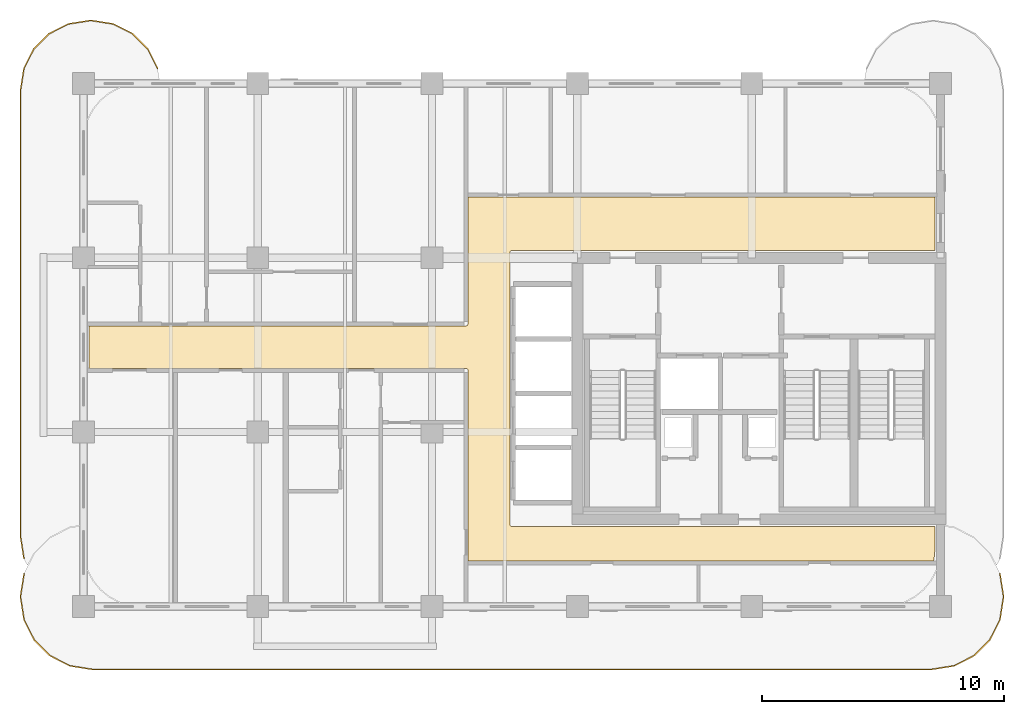
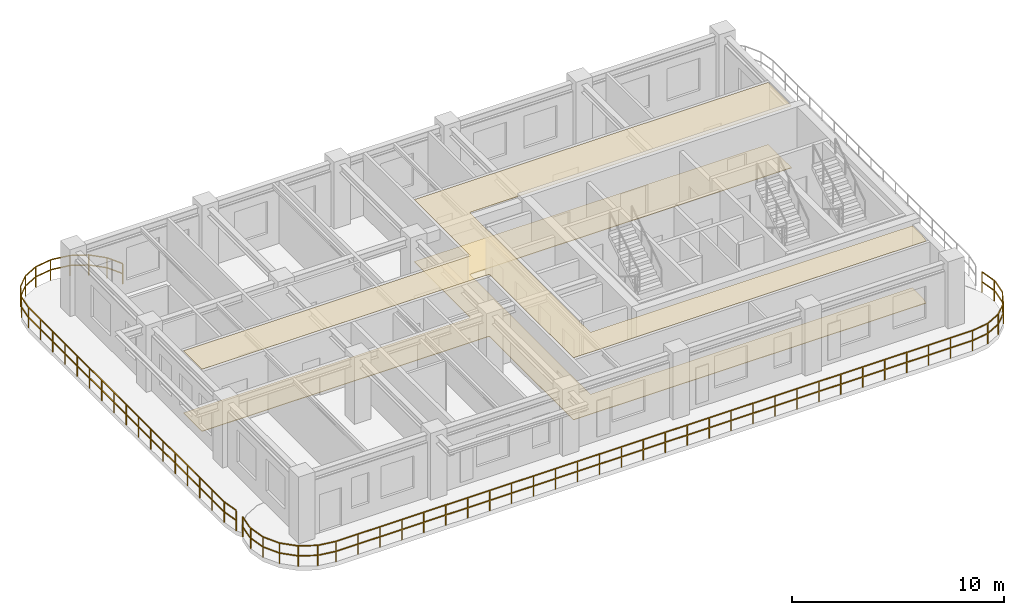
# One storey, part 7 of 8: 2 coverings, 2 railings.
"""IFC4 building model written with IfcOpenShell, lengths in metres."""

from ifc_helpers import new_model, si_unit, derived_unit, direction, frame, origin, origin_2d, place, context, subcontext, project, spatial, polyline, rectangle, outline, extrude, material, layer, layer_set, type_object, element, save


model = new_model("IFC4")

# Units and contexts
model_context = context("Model", 3, precision=1e-05, world=origin(), true_north=direction((0.0, 1.0)))
body_context = subcontext(model_context, "Body", "Model", "MODEL_VIEW")
ifc_project = project(units=[si_unit("LENGTHUNIT", "METRE"), si_unit("AREAUNIT", "SQUARE_METRE"), si_unit("VOLUMEUNIT", "CUBIC_METRE"), si_unit("PLANEANGLEUNIT", "RADIAN"), si_unit("MASSUNIT", "GRAM", prefix="KILO"), si_unit("THERMODYNAMICTEMPERATUREUNIT", "KELVIN"), si_unit("POWERUNIT", "WATT"), derived_unit("THERMALTRANSMITTANCEUNIT", [(si_unit("POWERUNIT", "WATT"), 1), (si_unit("AREAUNIT", "SQUARE_METRE"), -1), (si_unit("THERMODYNAMICTEMPERATUREUNIT", "KELVIN"), -1)])], contexts=[model_context])

# Site, building, storey
site_placement = place(None, origin())
site = spatial("IfcSite", under=ifc_project, at=site_placement, CompositionType="ELEMENT")
building_placement = place(site_placement, origin())
building = spatial("IfcBuilding", under=site, at=building_placement, Name="Zahravan Archway Hotel and Residences", CompositionType="ELEMENT")
storey_placement = place(building_placement, frame((0.0, 0.0, 232.699951171875)))
storey = spatial("IfcBuildingStorey", under=building, at=storey_placement, Name="L58", CompositionType="ELEMENT", Elevation=232.699951171875)

# Coverings
ifc_material_1 = material(Name="Perforated Acoustic Gypsum Ceiling")
ifc_layer_1 = layer(ifc_material_1, 0.02490234375, Name="Perforated Acoustic Gypsum Ceiling")
ifc_layer_set_1 = layer_set([ifc_layer_1], Name="Perforated Acoustic Gypsum Ceiling")
covering_type_1 = type_object("IfcCoveringType", Name="COV-CEIL-ACST", PredefinedType="CEILING", material=ifc_layer_set_1)
covering_1_placement = place(storey_placement, frame((0.0, 0.0, 3.574951171875)))
element("IfcCovering", 1, at=covering_1_placement, inside=storey, type_object=covering_type_1, Name="L58 Acoustic Corridor Ceiling", PredefinedType="CEILING", context=body_context, shape_type="SweptSolid", body=[
    extrude(outline(polyline([(30.215576171875, 11.591552734375), (30.256591796875, 11.61328125), (30.278564453125, 11.654296875), (30.280029296875, 16.919921875), (49.580078125, 16.919921875), (49.580078125, 14.705078125), (32.10009765625, 14.705078125), (32.0556640625, 14.69140625), (32.026123046875, 14.655517578125), (32.02001953125, 3.375), (32.033447265625, 3.33056640625), (32.0693359375, 3.301025390625), (49.580078125, 3.294921875), (49.580078125, 2.410888671875), (49.537109375, 1.974853515625), (49.50830078125, 1.8798828125), (30.280029296875, 1.8798828125), (30.280029296875, 9.75), (30.2666015625, 9.79443359375), (30.230712890625, 9.823974609375), (14.6201171875, 9.830078125), (14.6201171875, 11.590087890625), (30.199951171875, 11.590087890625), (30.215576171875, 11.591552734375)])), origin(), (0.0, 0.0, 1.0), 0.025146484375),
])
ifc_material_2 = material(Name="Honed Margalla Limestone & Mortar Bed", Category="masonry")
ifc_layer_2 = layer(ifc_material_2, 0.030029296875, Name="Honed Margalla Limestone & Mortar Bed", Category="masonry")
ifc_layer_set_2 = layer_set([ifc_layer_2], Name="Honed Margalla Limestone & Mortar Bed")
covering_type_2 = type_object("IfcCoveringType", Name="COV-FLR-STONE", PredefinedType="FLOORING", material=ifc_layer_set_2)
covering_2_placement = place(storey_placement, origin())
element("IfcCovering", 2, at=covering_2_placement, inside=storey, type_object=covering_type_2, Name="L58 Circulation Floor Finish", PredefinedType="FLOORING", context=body_context, shape_type="SweptSolid", body=[
    extrude(outline(polyline([(30.215576171875, 11.591552734375), (30.256591796875, 11.61328125), (30.278564453125, 11.654296875), (30.280029296875, 16.919921875), (49.580078125, 16.919921875), (49.580078125, 14.705078125), (32.10009765625, 14.705078125), (32.0556640625, 14.69140625), (32.026123046875, 14.655517578125), (32.02001953125, 3.375), (32.033447265625, 3.33056640625), (32.0693359375, 3.301025390625), (49.580078125, 3.294921875), (49.580078125, 2.410888671875), (49.537109375, 1.974853515625), (49.50830078125, 1.8798828125), (30.280029296875, 1.8798828125), (30.280029296875, 9.75), (30.2666015625, 9.79443359375), (30.230712890625, 9.823974609375), (14.6201171875, 9.830078125), (14.6201171875, 11.590087890625), (30.199951171875, 11.590087890625), (30.215576171875, 11.591552734375)])), origin(), (0.0, 0.0, 1.0), 0.030029296875),
])

# Railings
ifc_material_3 = material(Name="Bronze & Laminated Glass Balustrade", Category="glass")
railing_type = type_object("IfcRailingType", Name="RL-BAL-1200", PredefinedType="BALUSTRADE", material=ifc_material_3)
railing_1_placement = place(storey_placement, frame((52.255615234375, 1.361572265625, 0.0)))
element("IfcRailing", 3, at=railing_1_placement, inside=storey, type_object=railing_type, Name="L58 Balustrade RL-SLB-BAL-L58-SA-1", PredefinedType="BALUSTRADE", context=body_context, shape_type="SweptSolid", body=[
    extrude(rectangle(XDim=0.048095703125, YDim=0.048095703125, at=origin_2d()), frame((0.0, 0.0, 1.17578125), z_axis=(0.156329311416, -0.987704989555, 0.0), x_axis=(0.987704989555, 0.156329311416, 0.0)), (0.0, 0.0, 1.0), 0.9228515625),
    extrude(rectangle(XDim=0.048095703125, YDim=0.048095703125, at=origin_2d()), frame((0.0, 0.0, 0.60009765625), z_axis=(0.156329311416, -0.987704989555, 0.0), x_axis=(0.987704989555, 0.156329311416, 0.0)), (0.0, 0.0, 1.0), 0.9228515625),
    extrude(rectangle(XDim=0.048095703125, YDim=0.048095703125, at=origin_2d()), frame((0.144287109375, -0.91162109375, 1.17578125), z_axis=(0.0, -1.0, 0.0), x_axis=(1.0, 0.0, 0.0)), (0.0, 0.0, 1.0), 0.099853515625),
    extrude(rectangle(XDim=0.048095703125, YDim=0.048095703125, at=origin_2d()), frame((0.144287109375, -0.91162109375, 0.60009765625), z_axis=(0.0, -1.0, 0.0), x_axis=(1.0, 0.0, 0.0)), (0.0, 0.0, 1.0), 0.099853515625),
    extrude(rectangle(XDim=0.048095703125, YDim=0.048095703125, at=origin_2d()), frame((0.144287109375, -1.011474609375, 1.17578125), z_axis=(-0.156329311416, -0.987704989555, 0.0), x_axis=(0.987704989555, -0.156329311416, 0.0)), (0.0, 0.0, 1.0), 0.9228515625),
    extrude(rectangle(XDim=0.048095703125, YDim=0.048095703125, at=origin_2d()), frame((0.144287109375, -1.011474609375, 0.60009765625), z_axis=(-0.156329311416, -0.987704989555, 0.0), x_axis=(0.987704989555, -0.156329311416, 0.0)), (0.0, 0.0, 1.0), 0.9228515625),
    extrude(rectangle(XDim=0.048095703125, YDim=0.048095703125, at=origin_2d()), frame((0.0, -1.923095703125, 1.17578125), z_axis=(-0.453866348456, -0.891069771532, 0.0), x_axis=(0.891069771532, -0.453866348456, 0.0)), (0.0, 0.0, 1.0), 0.923095703125),
    extrude(rectangle(XDim=0.048095703125, YDim=0.048095703125, at=origin_2d()), frame((0.0, -1.923095703125, 0.60009765625), z_axis=(-0.453866348456, -0.891069771532, 0.0), x_axis=(0.891069771532, -0.453866348456, 0.0)), (0.0, 0.0, 1.0), 0.923095703125),
    extrude(rectangle(XDim=0.048095703125, YDim=0.048095703125, at=origin_2d()), frame((-0.4189453125, -2.74560546875, 1.17578125), z_axis=(-0.707106781187, -0.707106781187, 0.0), x_axis=(0.707106781187, -0.707106781187, 0.0)), (0.0, 0.0, 1.0), 0.9228515625),
    extrude(rectangle(XDim=0.048095703125, YDim=0.048095703125, at=origin_2d()), frame((-0.4189453125, -2.74560546875, 0.60009765625), z_axis=(-0.707106781187, -0.707106781187, 0.0), x_axis=(0.707106781187, -0.707106781187, 0.0)), (0.0, 0.0, 1.0), 0.9228515625),
    extrude(rectangle(XDim=0.048095703125, YDim=0.048095703125, at=origin_2d()), frame((-1.071533203125, -3.398193359375, 1.17578125), z_axis=(-0.891069771532, -0.453866348456, 0.0), x_axis=(0.453866348456, -0.891069771532, 0.0)), (0.0, 0.0, 1.0), 0.923095703125),
    extrude(rectangle(XDim=0.048095703125, YDim=0.048095703125, at=origin_2d()), frame((-1.071533203125, -3.398193359375, 0.60009765625), z_axis=(-0.891069771532, -0.453866348456, 0.0), x_axis=(0.453866348456, -0.891069771532, 0.0)), (0.0, 0.0, 1.0), 0.923095703125),
    extrude(rectangle(XDim=0.048095703125, YDim=0.048095703125, at=origin_2d()), frame((-1.89404296875, -3.817138671875, 1.17578125), z_axis=(-0.98766411426, -0.156587347521, 0.0), x_axis=(0.156587347521, -0.98766411426, 0.0)), (0.0, 0.0, 1.0), 0.923095703125),
    extrude(rectangle(XDim=0.048095703125, YDim=0.048095703125, at=origin_2d()), frame((-1.89404296875, -3.817138671875, 0.60009765625), z_axis=(-0.98766411426, -0.156587347521, 0.0), x_axis=(0.156587347521, -0.98766411426, 0.0)), (0.0, 0.0, 1.0), 0.923095703125),
    extrude(rectangle(XDim=0.048095703125, YDim=0.048095703125, at=origin_2d()), frame((-2.8056640625, -3.961669921875, 1.17578125), z_axis=(-1.0, 0.0, 0.0), x_axis=(0.0, -1.0, 0.0)), (0.0, 0.0, 1.0), 34.699951171875),
    extrude(rectangle(XDim=0.048095703125, YDim=0.048095703125, at=origin_2d()), frame((-2.8056640625, -3.961669921875, 0.60009765625), z_axis=(-1.0, 0.0, 0.0), x_axis=(0.0, -1.0, 0.0)), (0.0, 0.0, 1.0), 34.699951171875),
    extrude(rectangle(XDim=0.048095703125, YDim=0.048095703125, at=origin_2d()), frame((-37.505615234375, -3.961669921875, 1.17578125), z_axis=(-0.98766411426, 0.156587347521, 0.0), x_axis=(-0.156587347521, -0.98766411426, 0.0)), (0.0, 0.0, 1.0), 0.923095703125),
    extrude(rectangle(XDim=0.048095703125, YDim=0.048095703125, at=origin_2d()), frame((-37.505615234375, -3.961669921875, 0.60009765625), z_axis=(-0.98766411426, 0.156587347521, 0.0), x_axis=(-0.156587347521, -0.98766411426, 0.0)), (0.0, 0.0, 1.0), 0.923095703125),
    extrude(rectangle(XDim=0.048095703125, YDim=0.048095703125, at=origin_2d()), frame((-38.417236328125, -3.817138671875, 1.17578125), z_axis=(-0.891015268556, 0.453973337542, 0.0), x_axis=(-0.453973337542, -0.891015268556, 0.0)), (0.0, 0.0, 1.0), 0.9228515625),
    extrude(rectangle(XDim=0.048095703125, YDim=0.048095703125, at=origin_2d()), frame((-38.417236328125, -3.817138671875, 0.60009765625), z_axis=(-0.891015268556, 0.453973337542, 0.0), x_axis=(-0.453973337542, -0.891015268556, 0.0)), (0.0, 0.0, 1.0), 0.9228515625),
    extrude(rectangle(XDim=0.048095703125, YDim=0.048095703125, at=origin_2d()), frame((-39.239501953125, -3.398193359375, 1.17578125), z_axis=(-0.707239012465, 0.706974525176, 0.0), x_axis=(-0.706974525176, -0.707239012465, 0.0)), (0.0, 0.0, 1.0), 0.923095703125),
    extrude(rectangle(XDim=0.048095703125, YDim=0.048095703125, at=origin_2d()), frame((-39.239501953125, -3.398193359375, 0.60009765625), z_axis=(-0.707239012465, 0.706974525176, 0.0), x_axis=(-0.706974525176, -0.707239012465, 0.0)), (0.0, 0.0, 1.0), 0.923095703125),
    extrude(rectangle(XDim=0.048095703125, YDim=0.048095703125, at=origin_2d()), frame((-39.892333984375, -2.74560546875, 1.17578125), z_axis=(-0.453866348456, 0.891069771532, 0.0), x_axis=(-0.891069771532, -0.453866348456, 0.0)), (0.0, 0.0, 1.0), 0.923095703125),
    extrude(rectangle(XDim=0.048095703125, YDim=0.048095703125, at=origin_2d()), frame((-39.892333984375, -2.74560546875, 0.60009765625), z_axis=(-0.453866348456, 0.891069771532, 0.0), x_axis=(-0.891069771532, -0.453866348456, 0.0)), (0.0, 0.0, 1.0), 0.923095703125),
    extrude(rectangle(XDim=0.048095703125, YDim=0.048095703125, at=origin_2d()), frame((-40.311279296875, -1.923095703125, 1.17578125), z_axis=(-0.156329311416, 0.987704989555, 0.0), x_axis=(-0.987704989555, -0.156329311416, 0.0)), (0.0, 0.0, 1.0), 0.9228515625),
    extrude(rectangle(XDim=0.048095703125, YDim=0.048095703125, at=origin_2d()), frame((-40.311279296875, -1.923095703125, 0.60009765625), z_axis=(-0.156329311416, 0.987704989555, 0.0), x_axis=(-0.987704989555, -0.156329311416, 0.0)), (0.0, 0.0, 1.0), 0.9228515625),
    extrude(rectangle(XDim=0.048095703125, YDim=0.048095703125, at=origin_2d()), frame((-40.45556640625, -1.011474609375, 1.17578125), z_axis=(0.0, 1.0, 0.0), x_axis=(-1.0, 0.0, 0.0)), (0.0, 0.0, 1.0), 0.099853515625),
    extrude(rectangle(XDim=0.048095703125, YDim=0.048095703125, at=origin_2d()), frame((-40.45556640625, -1.011474609375, 0.60009765625), z_axis=(0.0, 1.0, 0.0), x_axis=(-1.0, 0.0, 0.0)), (0.0, 0.0, 1.0), 0.099853515625),
    extrude(rectangle(XDim=0.048095703125, YDim=0.048095703125, at=origin_2d()), frame((-40.45556640625, -0.91162109375, 1.17578125), z_axis=(0.156329311416, 0.987704989555, 0.0), x_axis=(-0.987704989555, 0.156329311416, 0.0)), (0.0, 0.0, 1.0), 0.9228515625),
    extrude(rectangle(XDim=0.048095703125, YDim=0.048095703125, at=origin_2d()), frame((-40.45556640625, -0.91162109375, 0.60009765625), z_axis=(0.156329311416, 0.987704989555, 0.0), x_axis=(-0.987704989555, 0.156329311416, 0.0)), (0.0, 0.0, 1.0), 0.9228515625),
    extrude(rectangle(XDim=0.0419921875, YDim=0.0419921875, at=origin_2d()), origin(), (0.0, 0.0, 1.0), 1.15185546875),
    extrude(rectangle(XDim=0.0419921875, YDim=0.0419921875, at=origin_2d()), frame((0.144287109375, -0.91162109375, 0.0)), (0.0, 0.0, 1.0), 1.15185546875),
    extrude(rectangle(XDim=0.0419921875, YDim=0.0419921875, at=origin_2d()), frame((0.0, -1.923095703125, 0.0)), (0.0, 0.0, 1.0), 1.15185546875),
    extrude(rectangle(XDim=0.0419921875, YDim=0.0419921875, at=origin_2d()), frame((-0.4189453125, -2.74560546875, 0.0)), (0.0, 0.0, 1.0), 1.15185546875),
    extrude(rectangle(XDim=0.0419921875, YDim=0.0419921875, at=origin_2d()), frame((-1.071533203125, -3.398193359375, 0.0)), (0.0, 0.0, 1.0), 1.15185546875),
    extrude(rectangle(XDim=0.0419921875, YDim=0.0419921875, at=origin_2d()), frame((-1.89404296875, -3.817138671875, 0.0)), (0.0, 0.0, 1.0), 1.15185546875),
    extrude(rectangle(XDim=0.0419921875, YDim=0.0419921875, at=origin_2d()), frame((-2.8056640625, -3.961669921875, 0.0)), (0.0, 0.0, 1.0), 1.15185546875),
    extrude(rectangle(XDim=0.0419921875, YDim=0.0419921875, at=origin_2d()), frame((-4.002197265625, -3.961669921875, 0.0)), (0.0, 0.0, 1.0), 1.15185546875),
    extrude(rectangle(XDim=0.0419921875, YDim=0.0419921875, at=origin_2d()), frame((-5.19873046875, -3.961669921875, 0.0)), (0.0, 0.0, 1.0), 1.15185546875),
    extrude(rectangle(XDim=0.0419921875, YDim=0.0419921875, at=origin_2d()), frame((-6.395263671875, -3.961669921875, 0.0)), (0.0, 0.0, 1.0), 1.15185546875),
    extrude(rectangle(XDim=0.0419921875, YDim=0.0419921875, at=origin_2d()), frame((-7.591796875, -3.961669921875, 0.0)), (0.0, 0.0, 1.0), 1.15185546875),
    extrude(rectangle(XDim=0.0419921875, YDim=0.0419921875, at=origin_2d()), frame((-8.788330078125, -3.961669921875, 0.0)), (0.0, 0.0, 1.0), 1.15185546875),
    extrude(rectangle(XDim=0.0419921875, YDim=0.0419921875, at=origin_2d()), frame((-9.98486328125, -3.961669921875, 0.0)), (0.0, 0.0, 1.0), 1.15185546875),
    extrude(rectangle(XDim=0.0419921875, YDim=0.0419921875, at=origin_2d()), frame((-11.181396484375, -3.961669921875, 0.0)), (0.0, 0.0, 1.0), 1.15185546875),
    extrude(rectangle(XDim=0.0419921875, YDim=0.0419921875, at=origin_2d()), frame((-12.378173828125, -3.961669921875, 0.0)), (0.0, 0.0, 1.0), 1.15185546875),
    extrude(rectangle(XDim=0.0419921875, YDim=0.0419921875, at=origin_2d()), frame((-13.57470703125, -3.961669921875, 0.0)), (0.0, 0.0, 1.0), 1.15185546875),
    extrude(rectangle(XDim=0.0419921875, YDim=0.0419921875, at=origin_2d()), frame((-14.771240234375, -3.961669921875, 0.0)), (0.0, 0.0, 1.0), 1.15185546875),
    extrude(rectangle(XDim=0.0419921875, YDim=0.0419921875, at=origin_2d()), frame((-15.9677734375, -3.961669921875, 0.0)), (0.0, 0.0, 1.0), 1.15185546875),
    extrude(rectangle(XDim=0.0419921875, YDim=0.0419921875, at=origin_2d()), frame((-17.164306640625, -3.961669921875, 0.0)), (0.0, 0.0, 1.0), 1.15185546875),
    extrude(rectangle(XDim=0.0419921875, YDim=0.0419921875, at=origin_2d()), frame((-18.36083984375, -3.961669921875, 0.0)), (0.0, 0.0, 1.0), 1.15185546875),
    extrude(rectangle(XDim=0.0419921875, YDim=0.0419921875, at=origin_2d()), frame((-19.557373046875, -3.961669921875, 0.0)), (0.0, 0.0, 1.0), 1.15185546875),
    extrude(rectangle(XDim=0.0419921875, YDim=0.0419921875, at=origin_2d()), frame((-20.75390625, -3.961669921875, 0.0)), (0.0, 0.0, 1.0), 1.15185546875),
    extrude(rectangle(XDim=0.0419921875, YDim=0.0419921875, at=origin_2d()), frame((-21.950439453125, -3.961669921875, 0.0)), (0.0, 0.0, 1.0), 1.15185546875),
    extrude(rectangle(XDim=0.0419921875, YDim=0.0419921875, at=origin_2d()), frame((-23.14697265625, -3.961669921875, 0.0)), (0.0, 0.0, 1.0), 1.15185546875),
    extrude(rectangle(XDim=0.0419921875, YDim=0.0419921875, at=origin_2d()), frame((-24.343505859375, -3.961669921875, 0.0)), (0.0, 0.0, 1.0), 1.15185546875),
    extrude(rectangle(XDim=0.0419921875, YDim=0.0419921875, at=origin_2d()), frame((-25.5400390625, -3.961669921875, 0.0)), (0.0, 0.0, 1.0), 1.15185546875),
    extrude(rectangle(XDim=0.0419921875, YDim=0.0419921875, at=origin_2d()), frame((-26.736572265625, -3.961669921875, 0.0)), (0.0, 0.0, 1.0), 1.15185546875),
    extrude(rectangle(XDim=0.0419921875, YDim=0.0419921875, at=origin_2d()), frame((-27.93310546875, -3.961669921875, 0.0)), (0.0, 0.0, 1.0), 1.15185546875),
    extrude(rectangle(XDim=0.0419921875, YDim=0.0419921875, at=origin_2d()), frame((-29.1298828125, -3.961669921875, 0.0)), (0.0, 0.0, 1.0), 1.15185546875),
    extrude(rectangle(XDim=0.0419921875, YDim=0.0419921875, at=origin_2d()), frame((-30.326416015625, -3.961669921875, 0.0)), (0.0, 0.0, 1.0), 1.15185546875),
    extrude(rectangle(XDim=0.0419921875, YDim=0.0419921875, at=origin_2d()), frame((-31.52294921875, -3.961669921875, 0.0)), (0.0, 0.0, 1.0), 1.15185546875),
    extrude(rectangle(XDim=0.0419921875, YDim=0.0419921875, at=origin_2d()), frame((-32.719482421875, -3.961669921875, 0.0)), (0.0, 0.0, 1.0), 1.15185546875),
    extrude(rectangle(XDim=0.0419921875, YDim=0.0419921875, at=origin_2d()), frame((-33.916015625, -3.961669921875, 0.0)), (0.0, 0.0, 1.0), 1.15185546875),
    extrude(rectangle(XDim=0.0419921875, YDim=0.0419921875, at=origin_2d()), frame((-35.112548828125, -3.961669921875, 0.0)), (0.0, 0.0, 1.0), 1.15185546875),
    extrude(rectangle(XDim=0.0419921875, YDim=0.0419921875, at=origin_2d()), frame((-36.30908203125, -3.961669921875, 0.0)), (0.0, 0.0, 1.0), 1.15185546875),
    extrude(rectangle(XDim=0.0419921875, YDim=0.0419921875, at=origin_2d()), frame((-37.505615234375, -3.961669921875, 0.0)), (0.0, 0.0, 1.0), 1.15185546875),
    extrude(rectangle(XDim=0.0419921875, YDim=0.0419921875, at=origin_2d()), frame((-38.417236328125, -3.817138671875, 0.0)), (0.0, 0.0, 1.0), 1.15185546875),
    extrude(rectangle(XDim=0.0419921875, YDim=0.0419921875, at=origin_2d()), frame((-39.239501953125, -3.398193359375, 0.0)), (0.0, 0.0, 1.0), 1.15185546875),
    extrude(rectangle(XDim=0.0419921875, YDim=0.0419921875, at=origin_2d()), frame((-39.892333984375, -2.74560546875, 0.0)), (0.0, 0.0, 1.0), 1.15185546875),
    extrude(rectangle(XDim=0.0419921875, YDim=0.0419921875, at=origin_2d()), frame((-40.311279296875, -1.923095703125, 0.0)), (0.0, 0.0, 1.0), 1.15185546875),
    extrude(rectangle(XDim=0.0419921875, YDim=0.0419921875, at=origin_2d()), frame((-40.45556640625, -1.011474609375, 0.0)), (0.0, 0.0, 1.0), 1.15185546875),
    extrude(rectangle(XDim=0.0419921875, YDim=0.0419921875, at=origin_2d()), frame((-40.311279296875, 0.0, 0.0)), (0.0, 0.0, 1.0), 1.15185546875),
])
railing_2_placement = place(storey_placement, frame((11.939453125, 1.96923828125, 0.0)))
element("IfcRailing", 4, at=railing_2_placement, inside=storey, type_object=railing_type, Name="L58 Balustrade RL-SLB-BAL-L58-WA-1", PredefinedType="BALUSTRADE", context=body_context, shape_type="SweptSolid", body=[
    extrude(rectangle(XDim=0.048095703125, YDim=0.048095703125, at=origin_2d()), frame((0.0, 0.0, 1.17578125), z_axis=(-0.156314005608, 0.987707411965, 0.0), x_axis=(-0.987707411965, -0.156314005608, 0.0)), (0.0, 0.0, 1.0), 0.891845703125),
    extrude(rectangle(XDim=0.048095703125, YDim=0.048095703125, at=origin_2d()), frame((0.0, 0.0, 0.60009765625), z_axis=(-0.156314005608, 0.987707411965, 0.0), x_axis=(-0.987707411965, -0.156314005608, 0.0)), (0.0, 0.0, 1.0), 0.891845703125),
    extrude(rectangle(XDim=0.048095703125, YDim=0.048095703125, at=origin_2d()), frame((-0.139404296875, 0.880859375, 1.17578125), z_axis=(0.0, 1.0, 0.0), x_axis=(-1.0, 0.0, 0.0)), (0.0, 0.0, 1.0), 18.5),
    extrude(rectangle(XDim=0.048095703125, YDim=0.048095703125, at=origin_2d()), frame((-0.139404296875, 0.880859375, 0.60009765625), z_axis=(0.0, 1.0, 0.0), x_axis=(-1.0, 0.0, 0.0)), (0.0, 0.0, 1.0), 18.5),
    extrude(rectangle(XDim=0.048095703125, YDim=0.048095703125, at=origin_2d()), frame((-0.139404296875, 19.380859375, 1.17578125), z_axis=(0.156356282588, 0.987700720307, 0.0), x_axis=(-0.987700720307, 0.156356282588, 0.0)), (0.0, 0.0, 1.0), 0.8916015625),
    extrude(rectangle(XDim=0.048095703125, YDim=0.048095703125, at=origin_2d()), frame((-0.139404296875, 19.380859375, 0.60009765625), z_axis=(0.156356282588, 0.987700720307, 0.0), x_axis=(-0.987700720307, 0.156356282588, 0.0)), (0.0, 0.0, 1.0), 0.8916015625),
    extrude(rectangle(XDim=0.048095703125, YDim=0.048095703125, at=origin_2d()), frame((0.0, 20.261474609375, 1.17578125), z_axis=(0.453991409995, 0.891006060389, 0.0), x_axis=(-0.891006060389, 0.453991409995, 0.0)), (0.0, 0.0, 1.0), 0.8916015625),
    extrude(rectangle(XDim=0.048095703125, YDim=0.048095703125, at=origin_2d()), frame((0.0, 20.261474609375, 0.60009765625), z_axis=(0.453991409995, 0.891006060389, 0.0), x_axis=(-0.891006060389, 0.453991409995, 0.0)), (0.0, 0.0, 1.0), 0.8916015625),
    extrude(rectangle(XDim=0.048095703125, YDim=0.048095703125, at=origin_2d()), frame((0.40478515625, 21.055908203125, 1.17578125), z_axis=(0.707106781187, 0.707106781187, 0.0), x_axis=(-0.707106781187, 0.707106781187, 0.0)), (0.0, 0.0, 1.0), 0.891845703125),
    extrude(rectangle(XDim=0.048095703125, YDim=0.048095703125, at=origin_2d()), frame((0.40478515625, 21.055908203125, 0.60009765625), z_axis=(0.707106781187, 0.707106781187, 0.0), x_axis=(-0.707106781187, 0.707106781187, 0.0)), (0.0, 0.0, 1.0), 0.891845703125),
    extrude(rectangle(XDim=0.048095703125, YDim=0.048095703125, at=origin_2d()), frame((1.035400390625, 21.6865234375, 1.17578125), z_axis=(0.891006060389, 0.453991409995, 0.0), x_axis=(-0.453991409995, 0.891006060389, 0.0)), (0.0, 0.0, 1.0), 0.8916015625),
    extrude(rectangle(XDim=0.048095703125, YDim=0.048095703125, at=origin_2d()), frame((1.035400390625, 21.6865234375, 0.60009765625), z_axis=(0.891006060389, 0.453991409995, 0.0), x_axis=(-0.453991409995, 0.891006060389, 0.0)), (0.0, 0.0, 1.0), 0.8916015625),
    extrude(rectangle(XDim=0.048095703125, YDim=0.048095703125, at=origin_2d()), frame((1.829833984375, 22.09130859375, 1.17578125), z_axis=(0.987700720307, 0.156356282588, 0.0), x_axis=(-0.156356282588, 0.987700720307, 0.0)), (0.0, 0.0, 1.0), 0.8916015625),
    extrude(rectangle(XDim=0.048095703125, YDim=0.048095703125, at=origin_2d()), frame((1.829833984375, 22.09130859375, 0.60009765625), z_axis=(0.987700720307, 0.156356282588, 0.0), x_axis=(-0.156356282588, 0.987700720307, 0.0)), (0.0, 0.0, 1.0), 0.8916015625),
    extrude(rectangle(XDim=0.048095703125, YDim=0.048095703125, at=origin_2d()), frame((2.71044921875, 22.230712890625, 1.17578125), z_axis=(1.0, 0.0, 0.0), x_axis=(0.0, 1.0, 0.0)), (0.0, 0.0, 1.0), 0.10009765625),
    extrude(rectangle(XDim=0.048095703125, YDim=0.048095703125, at=origin_2d()), frame((2.71044921875, 22.230712890625, 0.60009765625), z_axis=(1.0, 0.0, 0.0), x_axis=(0.0, 1.0, 0.0)), (0.0, 0.0, 1.0), 0.10009765625),
    extrude(rectangle(XDim=0.048095703125, YDim=0.048095703125, at=origin_2d()), frame((2.810546875, 22.230712890625, 1.17578125), z_axis=(0.987700720307, -0.156356282588, 0.0), x_axis=(0.156356282588, 0.987700720307, 0.0)), (0.0, 0.0, 1.0), 0.8916015625),
    extrude(rectangle(XDim=0.048095703125, YDim=0.048095703125, at=origin_2d()), frame((2.810546875, 22.230712890625, 0.60009765625), z_axis=(0.987700720307, -0.156356282588, 0.0), x_axis=(0.156356282588, 0.987700720307, 0.0)), (0.0, 0.0, 1.0), 0.8916015625),
    extrude(rectangle(XDim=0.048095703125, YDim=0.048095703125, at=origin_2d()), frame((3.691162109375, 22.09130859375, 1.17578125), z_axis=(0.891062476022, -0.45388067135, 0.0), x_axis=(0.45388067135, 0.891062476022, 0.0)), (0.0, 0.0, 1.0), 0.891845703125),
    extrude(rectangle(XDim=0.048095703125, YDim=0.048095703125, at=origin_2d()), frame((3.691162109375, 22.09130859375, 0.60009765625), z_axis=(0.891062476022, -0.45388067135, 0.0), x_axis=(0.45388067135, 0.891062476022, 0.0)), (0.0, 0.0, 1.0), 0.891845703125),
    extrude(rectangle(XDim=0.048095703125, YDim=0.048095703125, at=origin_2d()), frame((4.48583984375, 21.6865234375, 1.17578125), z_axis=(0.706969864397, -0.70724367147, 0.0), x_axis=(0.70724367147, 0.706969864397, 0.0)), (0.0, 0.0, 1.0), 0.8916015625),
    extrude(rectangle(XDim=0.048095703125, YDim=0.048095703125, at=origin_2d()), frame((4.48583984375, 21.6865234375, 0.60009765625), z_axis=(0.706969864397, -0.70724367147, 0.0), x_axis=(0.70724367147, 0.706969864397, 0.0)), (0.0, 0.0, 1.0), 0.8916015625),
    extrude(rectangle(XDim=0.048095703125, YDim=0.048095703125, at=origin_2d()), frame((5.1162109375, 21.055908203125, 1.17578125), z_axis=(0.453991409995, -0.891006060389, 0.0), x_axis=(0.891006060389, 0.453991409995, 0.0)), (0.0, 0.0, 1.0), 0.8916015625),
    extrude(rectangle(XDim=0.048095703125, YDim=0.048095703125, at=origin_2d()), frame((5.1162109375, 21.055908203125, 0.60009765625), z_axis=(0.453991409995, -0.891006060389, 0.0), x_axis=(0.891006060389, 0.453991409995, 0.0)), (0.0, 0.0, 1.0), 0.8916015625),
    extrude(rectangle(XDim=0.0419921875, YDim=0.0419921875, at=origin_2d()), origin(), (0.0, 0.0, 1.0), 1.15185546875),
    extrude(rectangle(XDim=0.0419921875, YDim=0.0419921875, at=origin_2d()), frame((-0.139404296875, 0.880859375, 0.0)), (0.0, 0.0, 1.0), 1.15185546875),
    extrude(rectangle(XDim=0.0419921875, YDim=0.0419921875, at=origin_2d()), frame((-0.139404296875, 2.037109375, 0.0)), (0.0, 0.0, 1.0), 1.15185546875),
    extrude(rectangle(XDim=0.0419921875, YDim=0.0419921875, at=origin_2d()), frame((-0.139404296875, 3.193359375, 0.0)), (0.0, 0.0, 1.0), 1.15185546875),
    extrude(rectangle(XDim=0.0419921875, YDim=0.0419921875, at=origin_2d()), frame((-0.139404296875, 4.349609375, 0.0)), (0.0, 0.0, 1.0), 1.15185546875),
    extrude(rectangle(XDim=0.0419921875, YDim=0.0419921875, at=origin_2d()), frame((-0.139404296875, 5.505859375, 0.0)), (0.0, 0.0, 1.0), 1.15185546875),
    extrude(rectangle(XDim=0.0419921875, YDim=0.0419921875, at=origin_2d()), frame((-0.139404296875, 6.662109375, 0.0)), (0.0, 0.0, 1.0), 1.15185546875),
    extrude(rectangle(XDim=0.0419921875, YDim=0.0419921875, at=origin_2d()), frame((-0.139404296875, 7.818359375, 0.0)), (0.0, 0.0, 1.0), 1.15185546875),
    extrude(rectangle(XDim=0.0419921875, YDim=0.0419921875, at=origin_2d()), frame((-0.139404296875, 8.974609375, 0.0)), (0.0, 0.0, 1.0), 1.15185546875),
    extrude(rectangle(XDim=0.0419921875, YDim=0.0419921875, at=origin_2d()), frame((-0.139404296875, 10.130859375, 0.0)), (0.0, 0.0, 1.0), 1.15185546875),
    extrude(rectangle(XDim=0.0419921875, YDim=0.0419921875, at=origin_2d()), frame((-0.139404296875, 11.287109375, 0.0)), (0.0, 0.0, 1.0), 1.15185546875),
    extrude(rectangle(XDim=0.0419921875, YDim=0.0419921875, at=origin_2d()), frame((-0.139404296875, 12.443359375, 0.0)), (0.0, 0.0, 1.0), 1.15185546875),
    extrude(rectangle(XDim=0.0419921875, YDim=0.0419921875, at=origin_2d()), frame((-0.139404296875, 13.599609375, 0.0)), (0.0, 0.0, 1.0), 1.15185546875),
    extrude(rectangle(XDim=0.0419921875, YDim=0.0419921875, at=origin_2d()), frame((-0.139404296875, 14.755859375, 0.0)), (0.0, 0.0, 1.0), 1.15185546875),
    extrude(rectangle(XDim=0.0419921875, YDim=0.0419921875, at=origin_2d()), frame((-0.139404296875, 15.912109375, 0.0)), (0.0, 0.0, 1.0), 1.15185546875),
    extrude(rectangle(XDim=0.0419921875, YDim=0.0419921875, at=origin_2d()), frame((-0.139404296875, 17.068359375, 0.0)), (0.0, 0.0, 1.0), 1.15185546875),
    extrude(rectangle(XDim=0.0419921875, YDim=0.0419921875, at=origin_2d()), frame((-0.139404296875, 18.224609375, 0.0)), (0.0, 0.0, 1.0), 1.15185546875),
    extrude(rectangle(XDim=0.0419921875, YDim=0.0419921875, at=origin_2d()), frame((-0.139404296875, 19.380859375, 0.0)), (0.0, 0.0, 1.0), 1.15185546875),
    extrude(rectangle(XDim=0.0419921875, YDim=0.0419921875, at=origin_2d()), frame((0.0, 20.261474609375, 0.0)), (0.0, 0.0, 1.0), 1.15185546875),
    extrude(rectangle(XDim=0.0419921875, YDim=0.0419921875, at=origin_2d()), frame((0.40478515625, 21.055908203125, 0.0)), (0.0, 0.0, 1.0), 1.15185546875),
    extrude(rectangle(XDim=0.0419921875, YDim=0.0419921875, at=origin_2d()), frame((1.035400390625, 21.6865234375, 0.0)), (0.0, 0.0, 1.0), 1.15185546875),
    extrude(rectangle(XDim=0.0419921875, YDim=0.0419921875, at=origin_2d()), frame((1.829833984375, 22.09130859375, 0.0)), (0.0, 0.0, 1.0), 1.15185546875),
    extrude(rectangle(XDim=0.0419921875, YDim=0.0419921875, at=origin_2d()), frame((2.71044921875, 22.230712890625, 0.0)), (0.0, 0.0, 1.0), 1.15185546875),
    extrude(rectangle(XDim=0.0419921875, YDim=0.0419921875, at=origin_2d()), frame((3.691162109375, 22.09130859375, 0.0)), (0.0, 0.0, 1.0), 1.15185546875),
    extrude(rectangle(XDim=0.0419921875, YDim=0.0419921875, at=origin_2d()), frame((4.48583984375, 21.6865234375, 0.0)), (0.0, 0.0, 1.0), 1.15185546875),
    extrude(rectangle(XDim=0.0419921875, YDim=0.0419921875, at=origin_2d()), frame((5.1162109375, 21.055908203125, 0.0)), (0.0, 0.0, 1.0), 1.15185546875),
    extrude(rectangle(XDim=0.0419921875, YDim=0.0419921875, at=origin_2d()), frame((5.52099609375, 20.261474609375, 0.0)), (0.0, 0.0, 1.0), 1.15185546875),
])

save(model, "model.ifc")
